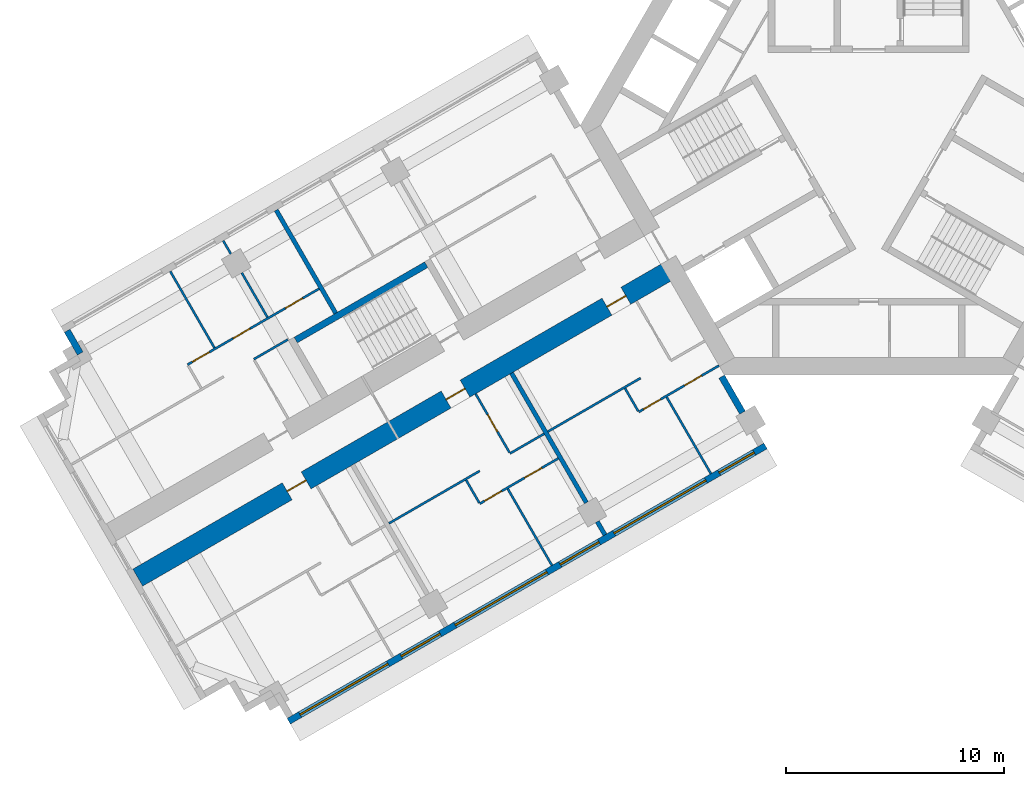
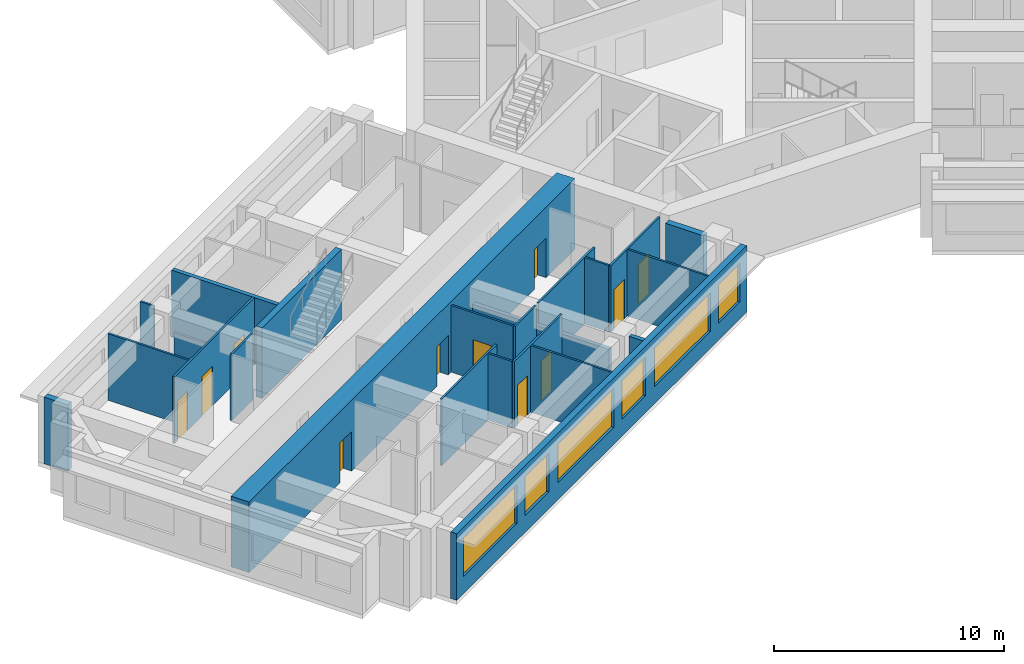
# One storey, part 3 of 12: 23 walls, 11 doors, 6 windows, 17 openings.
"""IFC4 building model written with IfcOpenShell, lengths in metres."""

from ifc_helpers import new_model, si_unit, direction, frame, frame_2d, origin, place, context, subcontext, project, spatial, rectangle, extrude, material, layer, layer_set, type_object, element, fill, save


model = new_model("IFC4")

# Units and contexts
model_context = context("Model", 3, precision=1e-05, world=origin(), true_north=direction((0.0, 1.0)))
body_context = subcontext(model_context, "Body", "Model", "MODEL_VIEW")
ifc_project = project(units=[si_unit("LENGTHUNIT", "METRE"), si_unit("AREAUNIT", "SQUARE_METRE"), si_unit("VOLUMEUNIT", "CUBIC_METRE"), si_unit("PLANEANGLEUNIT", "RADIAN"), si_unit("MASSUNIT", "GRAM", prefix="KILO")], contexts=[model_context])

# Site, building, storey
site_placement = place(None, origin())
site = spatial("IfcSite", under=ifc_project, at=site_placement, CompositionType="ELEMENT")
building_placement = place(site_placement, origin())
building = spatial("IfcBuilding", under=site, at=building_placement, Name="Impinga Residences", CompositionType="ELEMENT")
storey_placement = place(building_placement, frame((0.0, 0.0, 169.75)))
storey = spatial("IfcBuildingStorey", under=building, at=storey_placement, Name="L42", CompositionType="ELEMENT", Elevation=169.75)

# Wall, openings, doors
ifc_material_1 = material(Name="Concrete C60/75", Category="concrete")
ifc_layer_1 = layer(ifc_material_1, 0.89990234375)
ifc_layer_set_1 = layer_set([ifc_layer_1], Name="Concrete C60/75")
wall_type_1 = type_object("IfcWallType", Name="BW2 corridor buttress wall, L24 to L44 900", PredefinedType="SHEAR", material=ifc_layer_set_1)
wall_1_placement = place(storey_placement, frame((-8.95361328125, -6.554931640625, 0.0), z_axis=(0.0, 0.0, 1.0), x_axis=(-0.866023392092, -0.500003484338, 0.0)))
wall_1 = element("IfcWall", 1, at=wall_1_placement, inside=storey, type_object=wall_type_1, Name="Corridor wall BW2 WC L42", PredefinedType="SHEAR", context=body_context, shape_type="SweptSolid", body=[
    extrude(rectangle(XDim=28.300048828125, YDim=0.89990234375, at=frame_2d((14.14990234375, 0.0))), origin(), (0.0, 0.0, 1.0), 3.75),
])
opening_1_placement = place(wall_1_placement, frame((2.5, 0.0, 0.0)))
opening_1 = element("IfcOpeningElement", 2, at=opening_1_placement, cuts=wall_1, Name="Opening D1", PredefinedType="OPENING", context=body_context, shape_type="SweptSolid", body=[
    extrude(rectangle(XDim=1.0, YDim=2.10009765625, at=frame_2d((0.5, 1.050048828125))), frame((0.0, 0.4599609375, 0.0), z_axis=(0.0, -1.0, 0.0), x_axis=(1.0, 0.0, 0.0)), (0.0, 0.0, 1.0), 0.919921875),
])
opening_2_placement = place(wall_1_placement, frame((11.0, 0.0, 0.0)))
opening_2 = element("IfcOpeningElement", 3, at=opening_2_placement, cuts=wall_1, Name="Opening D1", PredefinedType="OPENING", context=body_context, shape_type="SweptSolid", body=[
    extrude(rectangle(XDim=1.0, YDim=2.10009765625, at=frame_2d((0.5, 1.050048828125))), frame((0.0, 0.4599609375, 0.0), z_axis=(0.0, -1.0, 0.0), x_axis=(1.0, 0.0, 0.0)), (0.0, 0.0, 1.0), 0.919921875),
])
opening_3_placement = place(wall_1_placement, frame((19.39990234375, 0.0, 0.0)))
opening_3 = element("IfcOpeningElement", 4, at=opening_3_placement, cuts=wall_1, Name="Opening D1", PredefinedType="OPENING", context=body_context, shape_type="SweptSolid", body=[
    extrude(rectangle(XDim=1.0, YDim=2.10009765625, at=frame_2d((0.5, 1.050048828125))), frame((0.0, 0.4599609375, 0.0), z_axis=(0.0, -1.0, 0.0), x_axis=(1.0, 0.0, 0.0)), (0.0, 0.0, 1.0), 0.919921875),
])
ifc_material_2 = material(Name="Timber door set", Category="wood")
door_type_1 = type_object("IfcDoorType", Name="D1 apartment entrance door 1000x2100", OperationType="SINGLE_SWING_LEFT", PredefinedType="DOOR", material=ifc_material_2)
door_1_placement = place(opening_1_placement, origin())
door_1 = element("IfcDoor", 5, at=door_1_placement, inside=storey, type_object=door_type_1, Name="Apartment L42-WA1 entrance", OperationType="SINGLE_SWING_LEFT", OverallHeight=2.10009765625, OverallWidth=1.0, PredefinedType="DOOR", context=body_context, shape_type="SweptSolid", body=[
    extrude(rectangle(XDim=1.0, YDim=2.10009765625, at=frame_2d((0.5, 1.050048828125))), frame((0.0, 0.02490234375, 0.0), z_axis=(0.0, -1.0, 0.0), x_axis=(1.0, 0.0, 0.0)), (0.0, 0.0, 1.0), 0.050048828125),
])
fill(opening_1, door_1)
door_2_placement = place(opening_2_placement, origin())
door_2 = element("IfcDoor", 6, at=door_2_placement, inside=storey, type_object=door_type_1, Name="Apartment L42-WA2 entrance", OperationType="SINGLE_SWING_LEFT", OverallHeight=2.10009765625, OverallWidth=1.0, PredefinedType="DOOR", context=body_context, shape_type="SweptSolid", body=[
    extrude(rectangle(XDim=1.0, YDim=2.10009765625, at=frame_2d((0.5, 1.050048828125))), frame((0.0, 0.02490234375, 0.0), z_axis=(0.0, -1.0, 0.0), x_axis=(1.0, 0.0, 0.0)), (0.0, 0.0, 1.0), 0.050048828125),
])
fill(opening_2, door_2)
door_3_placement = place(opening_3_placement, origin())
door_3 = element("IfcDoor", 7, at=door_3_placement, inside=storey, type_object=door_type_1, Name="Apartment L42-WA3 entrance", OperationType="SINGLE_SWING_RIGHT", OverallHeight=2.10009765625, OverallWidth=1.0, PredefinedType="DOOR", context=body_context, shape_type="SweptSolid", body=[
    extrude(rectangle(XDim=1.0, YDim=2.10009765625, at=frame_2d((0.5, 1.050048828125))), frame((0.0, 0.02490234375, 0.0), z_axis=(0.0, -1.0, 0.0), x_axis=(1.0, 0.0, 0.0)), (0.0, 0.0, 1.0), 0.050048828125),
])
fill(opening_3, door_3)

# Walls
ifc_material_3 = material(Name="Terracotta rainscreen on blockwork", Category="masonry")
ifc_layer_2 = layer(ifc_material_3, 0.300048828125)
ifc_layer_set_2 = layer_set([ifc_layer_2], Name="EW1 external wall, terracotta rainscreen on blockwork 300")
wall_type_2 = type_object("IfcWallType", Name="EW1 external wall, terracotta rainscreen on blockwork 300", PredefinedType="SOLIDWALL", material=ifc_layer_set_2)
wall_2_placement = place(storey_placement, frame((-36.093994140625, -10.446533203125, 0.0), z_axis=(0.0, 0.0, 1.0), x_axis=(-0.499880961361, 0.866094119867, 0.0)))
element("IfcWall", 8, at=wall_2_placement, inside=storey, type_object=wall_type_2, Name="External wall EW1 L42", PredefinedType="SOLIDWALL", context=body_context, shape_type="SweptSolid", body=[
    extrude(rectangle(XDim=1.199951171875, YDim=0.300048828125, at=frame_2d((0.60009765625, 0.0))), origin(), (0.0, 0.0, 1.0), 3.530029296875),
])
wall_3_placement = place(storey_placement, frame((-6.72998046875, -11.506591796875, 0.0), z_axis=(0.0, 0.0, 1.0), x_axis=(0.500063520245, -0.865988727248, 0.0)))
element("IfcWall", 9, at=wall_3_placement, inside=storey, type_object=wall_type_2, Name="External wall EW1 L42", PredefinedType="SOLIDWALL", context=body_context, shape_type="SweptSolid", body=[
    extrude(rectangle(XDim=1.900146484375, YDim=0.300048828125, at=frame_2d((0.9501953125, 0.0))), origin(), (0.0, 0.0, 1.0), 3.530029296875),
])

# Wall, openings, windows
wall_4_placement = place(storey_placement, frame((-4.72509765625, -14.67919921875, 0.0), z_axis=(0.0, 0.0, 1.0), x_axis=(-0.866026832479, -0.499997525421, 0.0)))
wall_4 = element("IfcWall", 10, at=wall_4_placement, inside=storey, type_object=wall_type_2, Name="External wall EW1 L42", PredefinedType="SOLIDWALL", context=body_context, shape_type="SweptSolid", body=[
    extrude(rectangle(XDim=25.199951171875, YDim=0.300048828125, at=frame_2d((12.60009765625, 0.0))), origin(), (0.0, 0.0, 1.0), 3.530029296875),
])
opening_4_placement = place(wall_4_placement, frame((0.60009765625, 0.0, 0.89990234375)))
opening_4 = element("IfcOpeningElement", 11, at=opening_4_placement, cuts=wall_4, Name="Opening W15", PredefinedType="OPENING", context=body_context, shape_type="SweptSolid", body=[
    extrude(rectangle(XDim=1.85009765625, YDim=2.050048828125, at=frame_2d((0.925048828125, 1.02490234375))), frame((0.0, 0.159912109375, 0.0), z_axis=(0.0, -1.0, 0.0), x_axis=(1.0, 0.0, 0.0)), (0.0, 0.0, 1.0), 0.320068359375),
])
opening_5_placement = place(wall_4_placement, frame((3.14990234375, 0.0, 0.89990234375)))
opening_5 = element("IfcOpeningElement", 12, at=opening_5_placement, cuts=wall_4, Name="Opening W6", PredefinedType="OPENING", context=body_context, shape_type="SweptSolid", body=[
    extrude(rectangle(XDim=4.85009765625, YDim=2.050048828125, at=frame_2d((2.425048828125, 1.02490234375))), frame((0.0, 0.159912109375, 0.0), z_axis=(0.0, -1.0, 0.0), x_axis=(1.0, 0.0, 0.0)), (0.0, 0.0, 1.0), 0.320068359375),
])
opening_6_placement = place(wall_4_placement, frame((8.800048828125, 0.0, 0.89990234375)))
opening_6 = element("IfcOpeningElement", 13, at=opening_6_placement, cuts=wall_4, Name="Opening W14", PredefinedType="OPENING", context=body_context, shape_type="SweptSolid", body=[
    extrude(rectangle(XDim=2.050048828125, YDim=2.050048828125, at=frame_2d((1.02490234375, 1.02490234375))), frame((0.0, 0.159912109375, 0.0), z_axis=(0.0, -1.0, 0.0), x_axis=(1.0, 0.0, 0.0)), (0.0, 0.0, 1.0), 0.320068359375),
])
opening_7_placement = place(wall_4_placement, frame((11.550048828125, 0.0, 0.89990234375)))
opening_7 = element("IfcOpeningElement", 14, at=opening_7_placement, cuts=wall_4, Name="Opening W6", PredefinedType="OPENING", context=body_context, shape_type="SweptSolid", body=[
    extrude(rectangle(XDim=4.85009765625, YDim=2.050048828125, at=frame_2d((2.425048828125, 1.02490234375))), frame((0.0, 0.159912109375, 0.0), z_axis=(0.0, -1.0, 0.0), x_axis=(1.0, 0.0, 0.0)), (0.0, 0.0, 1.0), 0.320068359375),
])
opening_8_placement = place(wall_4_placement, frame((17.199951171875, 0.0, 0.89990234375)))
opening_8 = element("IfcOpeningElement", 15, at=opening_8_placement, cuts=wall_4, Name="Opening W14", PredefinedType="OPENING", context=body_context, shape_type="SweptSolid", body=[
    extrude(rectangle(XDim=2.050048828125, YDim=2.050048828125, at=frame_2d((1.02490234375, 1.02490234375))), frame((0.0, 0.159912109375, 0.0), z_axis=(0.0, -1.0, 0.0), x_axis=(1.0, 0.0, 0.0)), (0.0, 0.0, 1.0), 0.320068359375),
])
opening_9_placement = place(wall_4_placement, frame((19.949951171875, 0.0, 0.89990234375)))
opening_9 = element("IfcOpeningElement", 16, at=opening_9_placement, cuts=wall_4, Name="Opening W10", PredefinedType="OPENING", context=body_context, shape_type="SweptSolid", body=[
    extrude(rectangle(XDim=4.64990234375, YDim=2.050048828125, at=frame_2d((2.324951171875, 1.02490234375))), frame((0.0, 0.159912109375, 0.0), z_axis=(0.0, -1.0, 0.0), x_axis=(1.0, 0.0, 0.0)), (0.0, 0.0, 1.0), 0.320068359375),
])
ifc_material_4 = material(Name="Aluminium window, clear double glazing", Category="aluminium")
window_type_1 = type_object("IfcWindowType", Name="W10 ribbon window 4650x2050", PartitioningType="SINGLE_PANEL", PredefinedType="WINDOW", material=ifc_material_4)
window_1_placement = place(opening_9_placement, origin())
window_1 = element("IfcWindow", 17, at=window_1_placement, inside=storey, type_object=window_type_1, Name="Window L42", OverallHeight=2.050048828125, OverallWidth=4.64990234375, PartitioningType="SINGLE_PANEL", PredefinedType="WINDOW", context=body_context, shape_type="SweptSolid", body=[
    extrude(rectangle(XDim=4.64990234375, YDim=2.050048828125, at=frame_2d((2.324951171875, 1.02490234375))), frame((0.0, 0.030029296875, 0.0), z_axis=(0.0, -1.0, 0.0), x_axis=(1.0, 0.0, 0.0)), (0.0, 0.0, 1.0), 0.06005859375),
])
fill(opening_9, window_1)
window_type_2 = type_object("IfcWindowType", Name="W14 ribbon window 2050x2050", PartitioningType="SINGLE_PANEL", PredefinedType="WINDOW", material=ifc_material_4)
window_2_placement = place(opening_6_placement, origin())
window_2 = element("IfcWindow", 18, at=window_2_placement, inside=storey, type_object=window_type_2, Name="Window L42", OverallHeight=2.050048828125, OverallWidth=2.050048828125, PartitioningType="SINGLE_PANEL", PredefinedType="WINDOW", context=body_context, shape_type="SweptSolid", body=[
    extrude(rectangle(XDim=2.050048828125, YDim=2.050048828125, at=frame_2d((1.02490234375, 1.02490234375))), frame((0.0, 0.030029296875, 0.0), z_axis=(0.0, -1.0, 0.0), x_axis=(1.0, 0.0, 0.0)), (0.0, 0.0, 1.0), 0.06005859375),
])
fill(opening_6, window_2)
window_3_placement = place(opening_8_placement, origin())
window_3 = element("IfcWindow", 19, at=window_3_placement, inside=storey, type_object=window_type_2, Name="Window L42", OverallHeight=2.050048828125, OverallWidth=2.050048828125, PartitioningType="SINGLE_PANEL", PredefinedType="WINDOW", context=body_context, shape_type="SweptSolid", body=[
    extrude(rectangle(XDim=2.050048828125, YDim=2.050048828125, at=frame_2d((1.02490234375, 1.02490234375))), frame((0.0, 0.030029296875, 0.0), z_axis=(0.0, -1.0, 0.0), x_axis=(1.0, 0.0, 0.0)), (0.0, 0.0, 1.0), 0.06005859375),
])
fill(opening_8, window_3)
window_type_3 = type_object("IfcWindowType", Name="W15 ribbon window 1850x2050", PartitioningType="SINGLE_PANEL", PredefinedType="WINDOW", material=ifc_material_4)
window_4_placement = place(opening_4_placement, origin())
window_4 = element("IfcWindow", 20, at=window_4_placement, inside=storey, type_object=window_type_3, Name="Window L42", OverallHeight=2.050048828125, OverallWidth=1.85009765625, PartitioningType="SINGLE_PANEL", PredefinedType="WINDOW", context=body_context, shape_type="SweptSolid", body=[
    extrude(rectangle(XDim=1.85009765625, YDim=2.050048828125, at=frame_2d((0.925048828125, 1.02490234375))), frame((0.0, 0.030029296875, 0.0), z_axis=(0.0, -1.0, 0.0), x_axis=(1.0, 0.0, 0.0)), (0.0, 0.0, 1.0), 0.06005859375),
])
fill(opening_4, window_4)
window_type_4 = type_object("IfcWindowType", Name="W6 ribbon window 4850x2050", PartitioningType="SINGLE_PANEL", PredefinedType="WINDOW", material=ifc_material_4)
window_5_placement = place(opening_5_placement, origin())
window_5 = element("IfcWindow", 21, at=window_5_placement, inside=storey, type_object=window_type_4, Name="Window L42", OverallHeight=2.050048828125, OverallWidth=4.85009765625, PartitioningType="SINGLE_PANEL", PredefinedType="WINDOW", context=body_context, shape_type="SweptSolid", body=[
    extrude(rectangle(XDim=4.85009765625, YDim=2.050048828125, at=frame_2d((2.425048828125, 1.02490234375))), frame((0.0, 0.030029296875, 0.0), z_axis=(0.0, -1.0, 0.0), x_axis=(1.0, 0.0, 0.0)), (0.0, 0.0, 1.0), 0.06005859375),
])
fill(opening_5, window_5)
window_6_placement = place(opening_7_placement, origin())
window_6 = element("IfcWindow", 22, at=window_6_placement, inside=storey, type_object=window_type_4, Name="Window L42", OverallHeight=2.050048828125, OverallWidth=4.85009765625, PartitioningType="SINGLE_PANEL", PredefinedType="WINDOW", context=body_context, shape_type="SweptSolid", body=[
    extrude(rectangle(XDim=4.85009765625, YDim=2.050048828125, at=frame_2d((2.425048828125, 1.02490234375))), frame((0.0, 0.030029296875, 0.0), z_axis=(0.0, -1.0, 0.0), x_axis=(1.0, 0.0, 0.0)), (0.0, 0.0, 1.0), 0.06005859375),
])
fill(opening_7, window_6)

# Wall
ifc_material_5 = material(Name="Gypsum board on steel studs", Category="steel")
ifc_layer_3 = layer(ifc_material_5, 0.10009765625)
ifc_layer_set_3 = layer_set([ifc_layer_3], Name="Gypsum board on steel studs")
wall_type_3 = type_object("IfcWallType", Name="IP1 partition 100", PredefinedType="PARTITIONING", material=ifc_layer_set_3)
wall_5_placement = place(storey_placement, frame((-10.444580078125, -11.57275390625, 0.0), z_axis=(0.0, 0.0, 1.0), x_axis=(-0.866023786258, -0.500002801628, 0.0)))
element("IfcWall", 23, at=wall_5_placement, inside=storey, type_object=wall_type_3, Name="Partition L42-WA1:DIV1", PredefinedType="PARTITIONING", context=body_context, shape_type="SweptSolid", body=[
    extrude(rectangle(XDim=4.89990234375, YDim=0.10009765625, at=frame_2d((2.449951171875, 0.0))), origin(), (0.0, 0.0, 1.0), 3.530029296875),
])

# Wall, openings, doors
wall_6_placement = place(storey_placement, frame((-6.85009765625, -10.99853515625, 0.0), z_axis=(0.0, 0.0, 1.0), x_axis=(-0.866014341725, -0.50001915956, 0.0)))
wall_6 = element("IfcWall", 24, at=wall_6_placement, inside=storey, type_object=wall_type_3, Name="Partition L42-WA1:STRIP", PredefinedType="PARTITIONING", context=body_context, shape_type="SweptSolid", body=[
    extrude(rectangle(XDim=4.249755859375, YDim=0.10009765625, at=frame_2d((2.125, 0.0))), origin(), (0.0, 0.0, 1.0), 3.530029296875),
])
opening_10_placement = place(wall_6_placement, frame((0.925048828125, 0.0, 0.0)))
opening_10 = element("IfcOpeningElement", 25, at=opening_10_placement, cuts=wall_6, Name="Opening D2", PredefinedType="OPENING", context=body_context, shape_type="SweptSolid", body=[
    extrude(rectangle(XDim=0.89990234375, YDim=2.10009765625, at=frame_2d((0.449951171875, 1.050048828125))), frame((0.0, 0.06005859375, 0.0), z_axis=(0.0, -1.0, 0.0), x_axis=(1.0, 0.0, 0.0)), (0.0, 0.0, 1.0), 0.1201171875),
])
opening_11_placement = place(wall_6_placement, frame((3.10009765625, 0.0, 0.0)))
opening_11 = element("IfcOpeningElement", 26, at=opening_11_placement, cuts=wall_6, Name="Opening D2", PredefinedType="OPENING", context=body_context, shape_type="SweptSolid", body=[
    extrude(rectangle(XDim=0.89990234375, YDim=2.10009765625, at=frame_2d((0.449951171875, 1.050048828125))), frame((0.0, 0.06005859375, 0.0), z_axis=(0.0, -1.0, 0.0), x_axis=(1.0, 0.0, 0.0)), (0.0, 0.0, 1.0), 0.1201171875),
])
door_type_2 = type_object("IfcDoorType", Name="D2 internal door 900x2100", OperationType="SINGLE_SWING_LEFT", PredefinedType="DOOR", material=ifc_material_2)
door_4_placement = place(opening_10_placement, origin())
door_4 = element("IfcDoor", 27, at=door_4_placement, inside=storey, type_object=door_type_2, Name="Apartment L42-WA1 room door", OperationType="SINGLE_SWING_LEFT", OverallHeight=2.10009765625, OverallWidth=0.89990234375, PredefinedType="DOOR", context=body_context, shape_type="SweptSolid", body=[
    extrude(rectangle(XDim=0.89990234375, YDim=2.10009765625, at=frame_2d((0.449951171875, 1.050048828125))), frame((0.0, 0.02490234375, 0.0), z_axis=(0.0, -1.0, 0.0), x_axis=(1.0, 0.0, 0.0)), (0.0, 0.0, 1.0), 0.050048828125),
])
fill(opening_10, door_4)
door_5_placement = place(opening_11_placement, origin())
door_5 = element("IfcDoor", 28, at=door_5_placement, inside=storey, type_object=door_type_2, Name="Apartment L42-WA1 room door", OperationType="SINGLE_SWING_RIGHT", OverallHeight=2.10009765625, OverallWidth=0.89990234375, PredefinedType="DOOR", context=body_context, shape_type="SweptSolid", body=[
    extrude(rectangle(XDim=0.89990234375, YDim=2.10009765625, at=frame_2d((0.449951171875, 1.050048828125))), frame((0.0, 0.02490234375, 0.0), z_axis=(0.0, -1.0, 0.0), x_axis=(1.0, 0.0, 0.0)), (0.0, 0.0, 1.0), 0.050048828125),
])
fill(opening_11, door_5)

# Walls
wall_7_placement = place(storey_placement, frame((-11.155517578125, -12.041015625, 0.0), z_axis=(0.0, 0.0, 1.0), x_axis=(0.499880961361, -0.866094119867, 0.0)))
element("IfcWall", 29, at=wall_7_placement, inside=storey, type_object=wall_type_3, Name="Partition L42-WA1:SE1", PredefinedType="PARTITIONING", context=body_context, shape_type="SweptSolid", body=[
    extrude(rectangle(XDim=1.199951171875, YDim=0.10009765625, at=frame_2d((0.60009765625, 0.0))), origin(), (0.0, 0.0, 1.0), 3.530029296875),
])
wall_8_placement = place(storey_placement, frame((-9.249755859375, -12.44189453125, 0.0), z_axis=(0.0, 0.0, 1.0), x_axis=(0.499990325971, -0.866030989016, 0.0)))
element("IfcWall", 30, at=wall_8_placement, inside=storey, type_object=wall_type_3, Name="Partition L42-WA1:OB1", PredefinedType="PARTITIONING", context=body_context, shape_type="SweptSolid", body=[
    extrude(rectangle(XDim=4.0498046875, YDim=0.10009765625, at=frame_2d((2.02490234375, 0.0))), origin(), (0.0, 0.0, 1.0), 3.530029296875),
])
wall_9_placement = place(storey_placement, frame((-14.861328125, -14.122802734375, 0.0), z_axis=(0.0, 0.0, 1.0), x_axis=(-0.866047807691, -0.499961193289, 0.0)))
element("IfcWall", 31, at=wall_9_placement, inside=storey, type_object=wall_type_3, Name="Partition L42-WA2:DIV0", PredefinedType="PARTITIONING", context=body_context, shape_type="SweptSolid", body=[
    extrude(rectangle(XDim=1.800048828125, YDim=0.10009765625, at=frame_2d((0.89990234375, 0.0))), origin(), (0.0, 0.0, 1.0), 3.530029296875),
])
wall_10_placement = place(storey_placement, frame((-17.8056640625, -15.82275390625, 0.0), z_axis=(0.0, 0.0, 1.0), x_axis=(-0.866037363387, -0.499979284789, 0.0)))
element("IfcWall", 32, at=wall_10_placement, inside=storey, type_object=wall_type_3, Name="Partition L42-WA2:DIV1", PredefinedType="PARTITIONING", context=body_context, shape_type="SweptSolid", body=[
    extrude(rectangle(XDim=4.800048828125, YDim=0.10009765625, at=frame_2d((2.39990234375, 0.0))), origin(), (0.0, 0.0, 1.0), 3.530029296875),
])

# Wall, openings, doors
wall_11_placement = place(storey_placement, frame((-14.211181640625, -15.24853515625, 0.0), z_axis=(0.0, 0.0, 1.0), x_axis=(-0.86602981871, -0.499992353047, 0.0)))
wall_11 = element("IfcWall", 33, at=wall_11_placement, inside=storey, type_object=wall_type_3, Name="Partition L42-WA2:STRIP", PredefinedType="PARTITIONING", context=body_context, shape_type="SweptSolid", body=[
    extrude(rectangle(XDim=4.14990234375, YDim=0.10009765625, at=frame_2d((2.074951171875, 0.0))), origin(), (0.0, 0.0, 1.0), 3.530029296875),
])
opening_12_placement = place(wall_11_placement, frame((0.875, 0.0, 0.0)))
opening_12 = element("IfcOpeningElement", 34, at=opening_12_placement, cuts=wall_11, Name="Opening D2", PredefinedType="OPENING", context=body_context, shape_type="SweptSolid", body=[
    extrude(rectangle(XDim=0.89990234375, YDim=2.10009765625, at=frame_2d((0.449951171875, 1.050048828125))), frame((0.0, 0.06005859375, 0.0), z_axis=(0.0, -1.0, 0.0), x_axis=(1.0, 0.0, 0.0)), (0.0, 0.0, 1.0), 0.1201171875),
])
opening_13_placement = place(wall_11_placement, frame((3.0, 0.0, 0.0)))
opening_13 = element("IfcOpeningElement", 35, at=opening_13_placement, cuts=wall_11, Name="Opening D2", PredefinedType="OPENING", context=body_context, shape_type="SweptSolid", body=[
    extrude(rectangle(XDim=0.89990234375, YDim=2.10009765625, at=frame_2d((0.449951171875, 1.050048828125))), frame((0.0, 0.06005859375, 0.0), z_axis=(0.0, -1.0, 0.0), x_axis=(1.0, 0.0, 0.0)), (0.0, 0.0, 1.0), 0.1201171875),
])
door_6_placement = place(opening_12_placement, origin())
door_6 = element("IfcDoor", 36, at=door_6_placement, inside=storey, type_object=door_type_2, Name="Apartment L42-WA2 room door", OperationType="SINGLE_SWING_LEFT", OverallHeight=2.10009765625, OverallWidth=0.89990234375, PredefinedType="DOOR", context=body_context, shape_type="SweptSolid", body=[
    extrude(rectangle(XDim=0.89990234375, YDim=2.10009765625, at=frame_2d((0.449951171875, 1.050048828125))), frame((0.0, 0.02490234375, 0.0), z_axis=(0.0, -1.0, 0.0), x_axis=(1.0, 0.0, 0.0)), (0.0, 0.0, 1.0), 0.050048828125),
])
fill(opening_12, door_6)
door_7_placement = place(opening_13_placement, origin())
door_7 = element("IfcDoor", 37, at=door_7_placement, inside=storey, type_object=door_type_2, Name="Apartment L42-WA2 room door", OperationType="SINGLE_SWING_RIGHT", OverallHeight=2.10009765625, OverallWidth=0.89990234375, PredefinedType="DOOR", context=body_context, shape_type="SweptSolid", body=[
    extrude(rectangle(XDim=0.89990234375, YDim=2.10009765625, at=frame_2d((0.449951171875, 1.050048828125))), frame((0.0, 0.02490234375, 0.0), z_axis=(0.0, -1.0, 0.0), x_axis=(1.0, 0.0, 0.0)), (0.0, 0.0, 1.0), 0.050048828125),
])
fill(opening_13, door_7)

# Wall
wall_12_placement = place(storey_placement, frame((-18.43017578125, -16.240966796875, 0.0), z_axis=(0.0, 0.0, 1.0), x_axis=(0.499880961361, -0.866094119867, 0.0)))
element("IfcWall", 38, at=wall_12_placement, inside=storey, type_object=wall_type_3, Name="Partition L42-WA2:SE1", PredefinedType="PARTITIONING", context=body_context, shape_type="SweptSolid", body=[
    extrude(rectangle(XDim=1.199951171875, YDim=0.10009765625, at=frame_2d((0.60009765625, 0.0))), origin(), (0.0, 0.0, 1.0), 3.530029296875),
])

# Wall, opening, door
wall_13_placement = place(storey_placement, frame((-17.9951171875, -12.294677734375, 0.0), z_axis=(0.0, 0.0, 1.0), x_axis=(0.49999285859, -0.86602952684, 0.0)))
wall_13 = element("IfcWall", 39, at=wall_13_placement, inside=storey, type_object=wall_type_3, Name="Partition L42-WA2:IB1", PredefinedType="PARTITIONING", context=body_context, shape_type="SweptSolid", body=[
    extrude(rectangle(XDim=3.10009765625, YDim=0.10009765625, at=frame_2d((1.550048828125, 0.0))), origin(), (0.0, 0.0, 1.0), 3.530029296875),
])
opening_14_placement = place(wall_13_placement, frame((1.10009765625, 0.0, 0.0)))
opening_14 = element("IfcOpeningElement", 40, at=opening_14_placement, cuts=wall_13, Name="Opening D2", PredefinedType="OPENING", context=body_context, shape_type="SweptSolid", body=[
    extrude(rectangle(XDim=0.89990234375, YDim=2.10009765625, at=frame_2d((0.449951171875, 1.050048828125))), frame((0.0, 0.06005859375, 0.0), z_axis=(0.0, -1.0, 0.0), x_axis=(1.0, 0.0, 0.0)), (0.0, 0.0, 1.0), 0.1201171875),
])
door_8_placement = place(opening_14_placement, origin())
door_8 = element("IfcDoor", 41, at=door_8_placement, inside=storey, type_object=door_type_2, Name="Apartment L42-WA2 bathroom door", OperationType="SINGLE_SWING_LEFT", OverallHeight=2.10009765625, OverallWidth=0.89990234375, PredefinedType="DOOR", context=body_context, shape_type="SweptSolid", body=[
    extrude(rectangle(XDim=0.89990234375, YDim=2.10009765625, at=frame_2d((0.449951171875, 1.050048828125))), frame((0.0, 0.02490234375, 0.0), z_axis=(0.0, -1.0, 0.0), x_axis=(1.0, 0.0, 0.0)), (0.0, 0.0, 1.0), 0.050048828125),
])
fill(opening_14, door_8)

# Walls
wall_14_placement = place(storey_placement, frame((-16.5244140625, -16.641845703125, 0.0), z_axis=(0.0, 0.0, 1.0), x_axis=(0.499990325971, -0.866030989016, 0.0)))
element("IfcWall", 42, at=wall_14_placement, inside=storey, type_object=wall_type_3, Name="Partition L42-WA2:OB1", PredefinedType="PARTITIONING", context=body_context, shape_type="SweptSolid", body=[
    extrude(rectangle(XDim=4.0498046875, YDim=0.10009765625, at=frame_2d((2.02490234375, 0.0))), origin(), (0.0, 0.0, 1.0), 3.530029296875),
])
wall_15_placement = place(storey_placement, frame((-26.58935546875, -9.808837890625, 0.0), z_axis=(0.0, 0.0, 1.0), x_axis=(-0.866047807691, -0.499961193289, 0.0)))
element("IfcWall", 43, at=wall_15_placement, inside=storey, type_object=wall_type_3, Name="Partition L42-WF2:DIV0", PredefinedType="PARTITIONING", context=body_context, shape_type="SweptSolid", body=[
    extrude(rectangle(XDim=1.800048828125, YDim=0.10009765625, at=frame_2d((0.89990234375, 0.0))), origin(), (0.0, 0.0, 1.0), 3.530029296875),
])

# Wall, openings, doors
wall_16_placement = place(storey_placement, frame((-25.160888671875, -7.48291015625, 0.0), z_axis=(0.0, 0.0, 1.0), x_axis=(-0.866025305473, -0.500000170281, 0.0)))
wall_16 = element("IfcWall", 44, at=wall_16_placement, inside=storey, type_object=wall_type_3, Name="Partition L42-WF2:STRIP", PredefinedType="PARTITIONING", context=body_context, shape_type="SweptSolid", body=[
    extrude(rectangle(XDim=6.9501953125, YDim=0.10009765625, at=frame_2d((3.47509765625, 0.0))), origin(), (0.0, 0.0, 1.0), 3.530029296875),
])
opening_15_placement = place(wall_16_placement, frame((0.875, 0.0, 0.0)))
opening_15 = element("IfcOpeningElement", 45, at=opening_15_placement, cuts=wall_16, Name="Opening D2", PredefinedType="OPENING", context=body_context, shape_type="SweptSolid", body=[
    extrude(rectangle(XDim=0.89990234375, YDim=2.10009765625, at=frame_2d((0.449951171875, 1.050048828125))), frame((0.0, 0.06005859375, 0.0), z_axis=(0.0, -1.0, 0.0), x_axis=(1.0, 0.0, 0.0)), (0.0, 0.0, 1.0), 0.1201171875),
])
opening_16_placement = place(wall_16_placement, frame((3.64990234375, 0.0, 0.0)))
opening_16 = element("IfcOpeningElement", 46, at=opening_16_placement, cuts=wall_16, Name="Opening D2", PredefinedType="OPENING", context=body_context, shape_type="SweptSolid", body=[
    extrude(rectangle(XDim=0.89990234375, YDim=2.10009765625, at=frame_2d((0.449951171875, 1.050048828125))), frame((0.0, 0.06005859375, 0.0), z_axis=(0.0, -1.0, 0.0), x_axis=(1.0, 0.0, 0.0)), (0.0, 0.0, 1.0), 0.1201171875),
])
opening_17_placement = place(wall_16_placement, frame((5.800048828125, 0.0, 0.0)))
opening_17 = element("IfcOpeningElement", 47, at=opening_17_placement, cuts=wall_16, Name="Opening D2", PredefinedType="OPENING", context=body_context, shape_type="SweptSolid", body=[
    extrude(rectangle(XDim=0.89990234375, YDim=2.10009765625, at=frame_2d((0.449951171875, 1.050048828125))), frame((0.0, 0.06005859375, 0.0), z_axis=(0.0, -1.0, 0.0), x_axis=(1.0, 0.0, 0.0)), (0.0, 0.0, 1.0), 0.1201171875),
])
door_9_placement = place(opening_15_placement, origin())
door_9 = element("IfcDoor", 48, at=door_9_placement, inside=storey, type_object=door_type_2, Name="Apartment L42-WF2 room door", OperationType="SINGLE_SWING_LEFT", OverallHeight=2.10009765625, OverallWidth=0.89990234375, PredefinedType="DOOR", context=body_context, shape_type="SweptSolid", body=[
    extrude(rectangle(XDim=0.89990234375, YDim=2.10009765625, at=frame_2d((0.449951171875, 1.050048828125))), frame((0.0, 0.02490234375, 0.0), z_axis=(0.0, -1.0, 0.0), x_axis=(1.0, 0.0, 0.0)), (0.0, 0.0, 1.0), 0.050048828125),
])
fill(opening_15, door_9)
door_10_placement = place(opening_16_placement, origin())
door_10 = element("IfcDoor", 49, at=door_10_placement, inside=storey, type_object=door_type_2, Name="Apartment L42-WF2 room door", OperationType="SINGLE_SWING_RIGHT", OverallHeight=2.10009765625, OverallWidth=0.89990234375, PredefinedType="DOOR", context=body_context, shape_type="SweptSolid", body=[
    extrude(rectangle(XDim=0.89990234375, YDim=2.10009765625, at=frame_2d((0.449951171875, 1.050048828125))), frame((0.0, 0.02490234375, 0.0), z_axis=(0.0, -1.0, 0.0), x_axis=(1.0, 0.0, 0.0)), (0.0, 0.0, 1.0), 0.050048828125),
])
fill(opening_16, door_10)
door_11_placement = place(opening_17_placement, origin())
door_11 = element("IfcDoor", 50, at=door_11_placement, inside=storey, type_object=door_type_2, Name="Apartment L42-WF2 room door", OperationType="SINGLE_SWING_RIGHT", OverallHeight=2.10009765625, OverallWidth=0.89990234375, PredefinedType="DOOR", context=body_context, shape_type="SweptSolid", body=[
    extrude(rectangle(XDim=0.89990234375, YDim=2.10009765625, at=frame_2d((0.449951171875, 1.050048828125))), frame((0.0, 0.02490234375, 0.0), z_axis=(0.0, -1.0, 0.0), x_axis=(1.0, 0.0, 0.0)), (0.0, 0.0, 1.0), 0.050048828125),
])
fill(opening_17, door_11)

# Walls
wall_17_placement = place(storey_placement, frame((-27.524169921875, -8.789794921875, 0.0), z_axis=(0.0, 0.0, 1.0), x_axis=(-0.500016218704, 0.866016039709, 0.0)))
element("IfcWall", 51, at=wall_17_placement, inside=storey, type_object=wall_type_3, Name="Partition L42-WF2:OB1", PredefinedType="PARTITIONING", context=body_context, shape_type="SweptSolid", body=[
    extrude(rectangle(XDim=2.35009765625, YDim=0.10009765625, at=frame_2d((1.175048828125, 0.0))), origin(), (0.0, 0.0, 1.0), 2.47998046875),
])
wall_18_placement = place(storey_placement, frame((-29.19921875, -5.888427734375, 0.0), z_axis=(0.0, 0.0, 1.0), x_axis=(-0.500114896893, 0.865959057869, 0.0)))
element("IfcWall", 52, at=wall_18_placement, inside=storey, type_object=wall_type_3, Name="Partition L42-WF2:OB1b", PredefinedType="PARTITIONING", context=body_context, shape_type="SweptSolid", body=[
    extrude(rectangle(XDim=0.699951171875, YDim=0.10009765625, at=frame_2d((0.35009765625, 0.0))), origin(), (0.0, 0.0, 1.0), 3.530029296875),
])
wall_19_placement = place(storey_placement, frame((-29.94921875, -10.189697265625, 0.0), z_axis=(0.0, 0.0, 1.0), x_axis=(-0.499990325971, 0.866030989016, 0.0)))
element("IfcWall", 53, at=wall_19_placement, inside=storey, type_object=wall_type_3, Name="Partition L42-WF2:OB2", PredefinedType="PARTITIONING", context=body_context, shape_type="SweptSolid", body=[
    extrude(rectangle(XDim=4.0498046875, YDim=0.10009765625, at=frame_2d((2.02490234375, 0.0))), origin(), (0.0, 0.0, 1.0), 3.530029296875),
])
ifc_material_6 = material(Name="Concrete blockwork", Category="masonry")
ifc_layer_4 = layer(ifc_material_6, 0.199951171875)
ifc_layer_set_4 = layer_set([ifc_layer_4], Name="PW1 party wall between apartments 200")
wall_type_4 = type_object("IfcWallType", Name="PW1 party wall between apartments 200", PredefinedType="SOLIDWALL", material=ifc_layer_set_4)
wall_20_placement = place(storey_placement, frame((-16.349609375, -11.3447265625, 0.0), z_axis=(0.0, 0.0, 1.0), x_axis=(0.499999086063, -0.866025931445, 0.0)))
element("IfcWall", 54, at=wall_20_placement, inside=storey, type_object=wall_type_4, Name="Party wall between apartments L42-WA1:PARTY", PredefinedType="SOLIDWALL", context=body_context, shape_type="SweptSolid", body=[
    extrude(rectangle(XDim=6.85009765625, YDim=0.199951171875, at=frame_2d((3.425048828125, 0.0))), origin(), (0.0, 0.0, 1.0), 2.47998046875),
])
wall_21_placement = place(storey_placement, frame((-12.424560546875, -18.14306640625, 0.0), z_axis=(0.0, 0.0, 1.0), x_axis=(0.499853302173, -0.866110083249, 0.0)))
element("IfcWall", 55, at=wall_21_placement, inside=storey, type_object=wall_type_4, Name="Party wall between apartments L42-WA1:PARTYb", PredefinedType="SOLIDWALL", context=body_context, shape_type="SweptSolid", body=[
    extrude(rectangle(XDim=0.699951171875, YDim=0.199951171875, at=frame_2d((0.35009765625, 0.0))), origin(), (0.0, 0.0, 1.0), 3.530029296875),
])
wall_22_placement = place(storey_placement, frame((-24.3994140625, -8.60205078125, 0.0), z_axis=(0.0, 0.0, 1.0), x_axis=(-0.499988730927, 0.866031909889, 0.0)))
element("IfcWall", 56, at=wall_22_placement, inside=storey, type_object=wall_type_4, Name="Party wall between apartments L42-WF1:PARTY", PredefinedType="SOLIDWALL", context=body_context, shape_type="SweptSolid", body=[
    extrude(rectangle(XDim=5.449951171875, YDim=0.199951171875, at=frame_2d((2.72509765625, 0.0))), origin(), (0.0, 0.0, 1.0), 3.530029296875),
])
ifc_layer_5 = layer(ifc_material_1, 0.300048828125)
ifc_layer_set_5 = layer_set([ifc_layer_5], Name="Concrete C60/75")
wall_type_5 = type_object("IfcWallType", Name="SE1 wing stair enclosure wall 300", PredefinedType="SOLIDWALL", material=ifc_layer_set_5)
wall_23_placement = place(storey_placement, frame((-20.254150390625, -6.382080078125, 0.0), z_axis=(0.0, 0.0, 1.0), x_axis=(-0.866020008033, -0.500009345598, 0.0)))
element("IfcWall", 57, at=wall_23_placement, inside=storey, type_object=wall_type_5, Name="Stair enclosure wall SE1 W OUT L42", PredefinedType="SOLIDWALL", context=body_context, shape_type="SweptSolid", body=[
    extrude(rectangle(XDim=6.899658203125, YDim=0.300048828125, at=frame_2d((3.44970703125, 0.0))), origin(), (0.0, 0.0, 1.0), 3.75),
])

save(model, "model.ifc")
